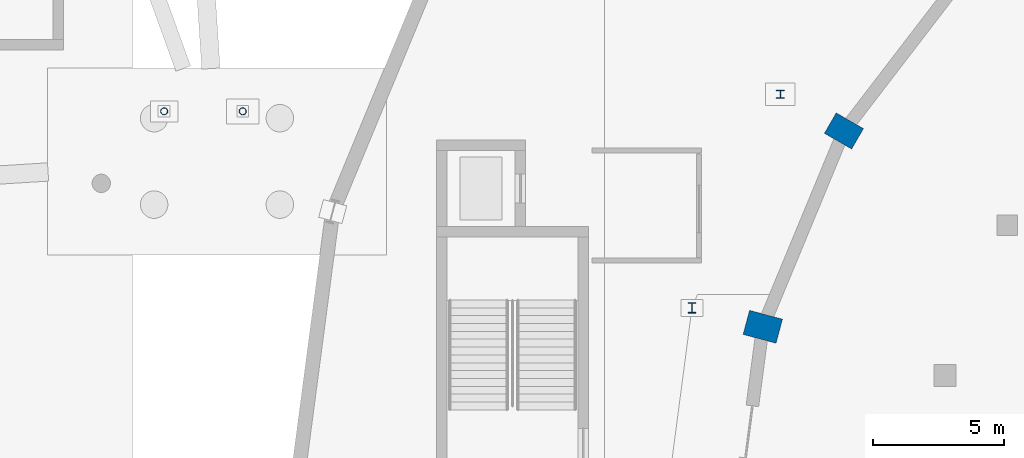
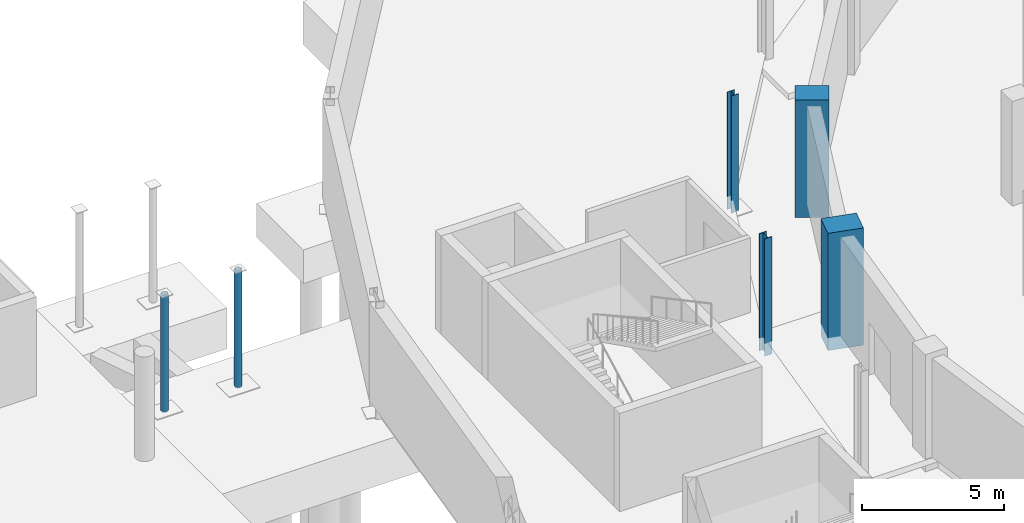
# One storey, part 19 of 55: 6 columns.
"""IFC4 building model written with IfcOpenShell, lengths in metres."""

from ifc_helpers import new_model, si_unit, direction, frame, origin, origin_2d, place, context, subcontext, project, spatial, rectangle, hollow_circle, i_section, extrude, material, material_profile, profile_set, type_object, element, save


model = new_model("IFC4")

# Units and contexts
model_context = context("Model", 3, precision=1e-05, world=origin(), true_north=direction((0.0, 1.0)))
body_context = subcontext(model_context, "Body", "Model", "MODEL_VIEW")
ifc_project = project(units=[si_unit("LENGTHUNIT", "METRE"), si_unit("AREAUNIT", "SQUARE_METRE"), si_unit("VOLUMEUNIT", "CUBIC_METRE"), si_unit("PLANEANGLEUNIT", "RADIAN"), si_unit("MASSUNIT", "GRAM", prefix="KILO")], contexts=[model_context])

# Site, building, storey
site_placement = place(None, origin())
site = spatial("IfcSite", under=ifc_project, at=site_placement, CompositionType="ELEMENT")
building_placement = place(site_placement, origin())
building = spatial("IfcBuilding", under=site, at=building_placement, Name="Sohan Crest Arena", CompositionType="ELEMENT")
storey_placement = place(building_placement, frame((0.0, 0.0, -4.5)))
storey = spatial("IfcBuildingStorey", under=building, at=storey_placement, Name="B1", CompositionType="ELEMENT", Elevation=-4.5)

# Columns
ifc_material_1 = material(Name="Concrete C40/50", Category="concrete")
ifc_material_profile_1 = material_profile(ifc_material_1, rectangle(XDim=1.199951171875, YDim=0.89990234375, at=origin_2d()), Name="RC 1200x900")
ifc_profile_set_1 = profile_set([ifc_material_profile_1], Name="Concrete C40/50")
column_type_1 = type_object("IfcColumnType", Name="STR-COL-C11", PredefinedType="COLUMN", material=ifc_profile_set_1)
column_1_placement = place(storey_placement, frame((71.153076171875, 93.5, -0.550048828125), z_axis=(0.0, 0.0, 1.0), x_axis=(-0.866025403784, 0.5, 0.0)))
element("IfcColumn", 1, at=column_1_placement, inside=storey, type_object=column_type_1, Name="Structural column COL-V1R-05-B1", PredefinedType="COLUMN", context=body_context, shape_type="SweptSolid", body=[
    extrude(rectangle(XDim=1.199951171875, YDim=0.89990234375, at=origin_2d()), origin(), (0.0, 0.0, 1.0), 5.050048828125),
])
ifc_material_profile_2 = material_profile(ifc_material_1, rectangle(XDim=1.300048828125, YDim=0.949951171875, at=origin_2d()), Name="RC 1300x950")
ifc_profile_set_2 = profile_set([ifc_material_profile_2], Name="Concrete C40/50")
column_type_2 = type_object("IfcColumnType", Name="STR-COL-C12", PredefinedType="COLUMN", material=ifc_profile_set_2)
column_2_placement = place(storey_placement, frame((68.055908203125, 86.02294921875, -0.550048828125), z_axis=(0.0, 0.0, 1.0), x_axis=(-0.965925826289, 0.258819045103, 0.0)))
element("IfcColumn", 2, at=column_2_placement, inside=storey, type_object=column_type_2, Name="Structural column COL-V1R-06-B1", PredefinedType="COLUMN", context=body_context, shape_type="SweptSolid", body=[
    extrude(rectangle(XDim=1.300048828125, YDim=0.949951171875, at=origin_2d()), origin(), (0.0, 0.0, 1.0), 5.050048828125),
])
ifc_material_2 = material(Name="Steel S355", Category="steel")
ifc_material_profile_3 = material_profile(ifc_material_2, i_section(OverallWidth=0.300048828125, OverallDepth=0.300048828125, WebThickness=0.010986328125, FlangeThickness=0.01904296875, at=origin_2d()), Name="HEB 300")
ifc_profile_set_3 = profile_set([ifc_material_profile_3], Name="Steel S355")
column_type_3 = type_object("IfcColumnType", Name="STR-COL-C17", PredefinedType="COLUMN", material=ifc_profile_set_3)
column_3_placement = place(storey_placement, frame((68.72802734375, 94.89990234375, -0.550048828125), z_axis=(0.0, 0.0, 1.0), x_axis=(1.0, 0.0, 0.0)))
element("IfcColumn", 3, at=column_3_placement, inside=storey, type_object=column_type_3, Name="Structural column COL-V2I-05-B1", PredefinedType="COLUMN", context=body_context, shape_type="SweptSolid", body=[
    extrude(i_section(OverallWidth=0.300048828125, OverallDepth=0.300048828125, WebThickness=0.010986328125, FlangeThickness=0.01904296875, at=origin_2d()), origin(), (0.0, 0.0, 1.0), 5.050048828125),
])
ifc_material_profile_4 = material_profile(ifc_material_2, i_section(OverallWidth=0.300048828125, OverallDepth=0.39990234375, WebThickness=0.013427734375, FlangeThickness=0.02392578125, at=origin_2d()), Name="HEB 400")
ifc_profile_set_4 = profile_set([ifc_material_profile_4], Name="Steel S355")
column_type_4 = type_object("IfcColumnType", Name="STR-COL-C18", PredefinedType="COLUMN", material=ifc_profile_set_4)
column_4_placement = place(storey_placement, frame((65.35205078125, 86.748046875, -0.550048828125), z_axis=(0.0, 0.0, 1.0), x_axis=(1.0, 0.0, 0.0)))
element("IfcColumn", 4, at=column_4_placement, inside=storey, type_object=column_type_4, Name="Structural column COL-V2I-06-B1", PredefinedType="COLUMN", context=body_context, shape_type="SweptSolid", body=[
    extrude(i_section(OverallWidth=0.300048828125, OverallDepth=0.39990234375, WebThickness=0.013427734375, FlangeThickness=0.02392578125, at=origin_2d()), origin(), (0.0, 0.0, 1.0), 5.050048828125),
])
ifc_material_profile_5 = material_profile(ifc_material_2, hollow_circle(Radius=0.136474609375, WallThickness=0.012451171875, at=origin_2d()), Name="CHS 273x12.5")
ifc_profile_set_5 = profile_set([ifc_material_profile_5], Name="Steel S355")
column_type_5 = type_object("IfcColumnType", Name="STR-COL-C25", PredefinedType="COLUMN", material=ifc_profile_set_5)
for number, where, z_axis, x_axis, name in (
    (5, (45.199951171875, 94.25, -0.550048828125), (0.0, 0.0, 1.0), (1.0, 0.0, 0.0), "Structural column COL-BC-BR-W2-1-B1"),
    (6, (48.199951171875, 94.25, -0.550048828125), (0.0, 0.0, 1.0), (1.0, 0.0, 0.0), "Structural column COL-BC-BR-W2-2-B1"),
):
    element("IfcColumn", number, at=place(storey_placement, frame(where, z_axis=z_axis, x_axis=x_axis)), inside=storey, type_object=column_type_5, Name=name, PredefinedType="COLUMN", context=body_context, shape_type="SweptSolid", body=[
        extrude(hollow_circle(Radius=0.136474609375, WallThickness=0.012451171875, at=origin_2d()), origin(), (0.0, 0.0, 1.0), 5.050048828125),
    ])

save(model, "model.ifc")
